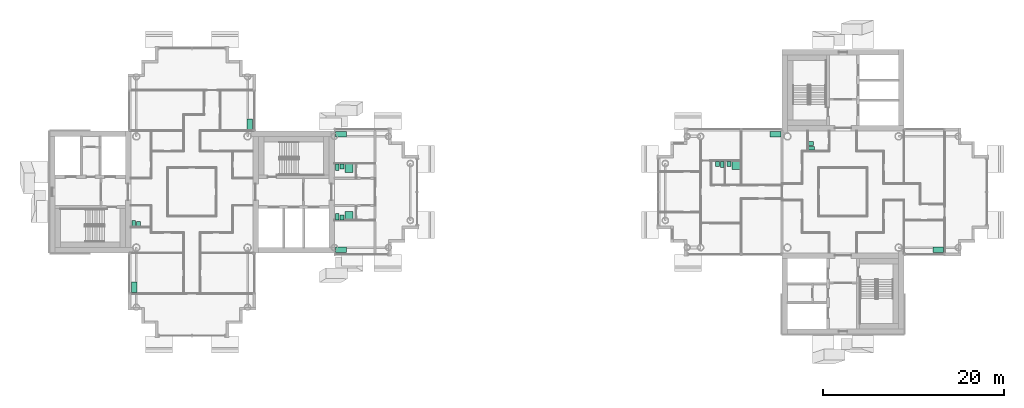
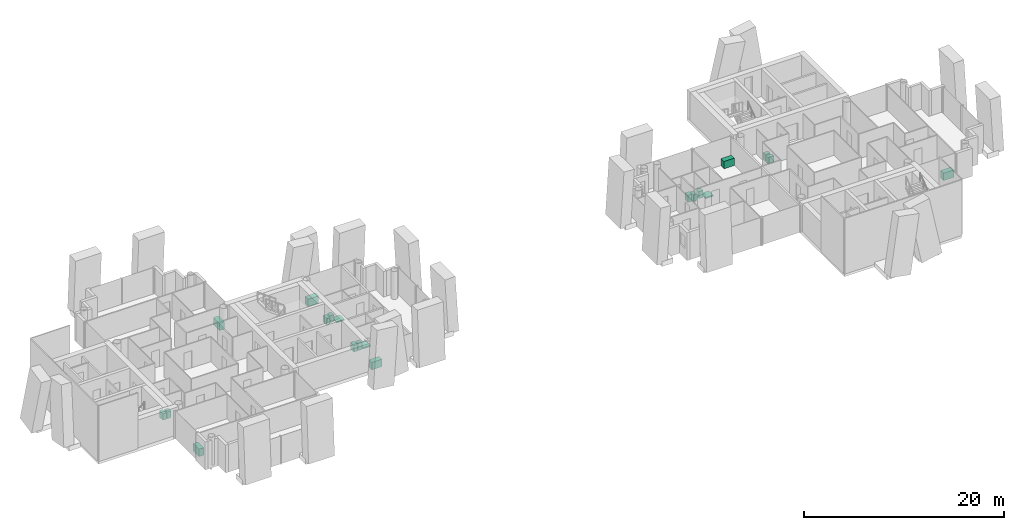
# One storey, part 18 of 18: 20 sanitary terminals.
"""IFC4 building model written with IfcOpenShell, lengths in metres."""

from ifc_helpers import new_model, si_unit, direction, frame, origin, origin_2d, place, context, subcontext, project, spatial, rectangle, extrude, material, type_object, element, save


model = new_model("IFC4")

# Units and contexts
model_context = context("Model", 3, precision=1e-05, world=origin(), true_north=direction((0.0, 1.0)))
body_context = subcontext(model_context, "Body", "Model", "MODEL_VIEW")
ifc_project = project(units=[si_unit("LENGTHUNIT", "METRE"), si_unit("AREAUNIT", "SQUARE_METRE"), si_unit("VOLUMEUNIT", "CUBIC_METRE"), si_unit("PLANEANGLEUNIT", "RADIAN"), si_unit("MASSUNIT", "GRAM", prefix="KILO")], contexts=[model_context])

# Site, building, storey
site_placement = place(None, origin())
site = spatial("IfcSite", under=ifc_project, at=site_placement, CompositionType="ELEMENT")
building_placement = place(site_placement, origin())
building = spatial("IfcBuilding", under=site, at=building_placement, Name="Ipe Terrace Towers", CompositionType="ELEMENT")
storey_placement = place(building_placement, frame((0.0, 0.0, 196.0)))
storey = spatial("IfcBuildingStorey", under=building, at=storey_placement, Name="L54", CompositionType="ELEMENT", Elevation=196.0)

# Sanitary terminals
ifc_material_1 = material(Name="Stainless sink unit", Category="metal")
sanitary_terminal_type_1 = type_object("IfcSanitaryTerminalType", Name="Kitchen sink unit", PredefinedType="SINK", material=ifc_material_1)
for number, where, z_axis, x_axis, name in (
    (1, (-29.6201171875, 7.469970703125, 0.0), (0.0, 0.0, 1.0), (0.0, -1.0, 0.0), "Kitchen sink unit"),
    (2, (-42.3798828125, -10.530029296875, 0.0), (0.0, 0.0, 1.0), (0.0, 1.0, 0.0), "Kitchen sink unit"),
    (3, (-19.530029296875, 6.3798828125, 0.0), (0.0, 0.0, 1.0), (1.0, 0.0, 0.0), "Kitchen sink unit"),
    (4, (-19.530029296875, -6.3798828125, 0.0), (0.0, 0.0, 1.0), (-1.0, 0.0, 0.0), "Kitchen sink unit"),
    (5, (28.530029296875, 6.3798828125, 0.0), (0.0, 0.0, 1.0), (1.0, 0.0, 0.0), "Kitchen sink unit"),
    (6, (46.530029296875, -6.3798828125, 0.0), (0.0, 0.0, 1.0), (-1.0, 0.0, 0.0), "Kitchen sink unit"),
):
    element("IfcSanitaryTerminal", number, at=place(storey_placement, frame(where, z_axis=z_axis, x_axis=x_axis)), inside=storey, type_object=sanitary_terminal_type_1, Name=name, PredefinedType="SINK", context=body_context, shape_type="SweptSolid", body=[
        extrude(rectangle(XDim=1.199951171875, YDim=0.60009765625, at=origin_2d()), origin(), (0.0, 0.0, 1.0), 0.89990234375),
    ])
ifc_material_2 = material(Name="Acrylic", Category="plastic")
sanitary_terminal_type_2 = type_object("IfcSanitaryTerminalType", Name="Shower tray", PredefinedType="SHOWER", material=ifc_material_2)
for number, where, z_axis, x_axis, name in (
    (7, (-18.6298828125, 2.6298828125, 0.0), (0.0, 0.0, 1.0), (0.0, -1.0, 0.0), "Shower tray"),
    (8, (-18.6298828125, -2.6298828125, 0.0), (0.0, 0.0, 1.0), (0.0, 1.0, 0.0), "Shower tray"),
    (9, (24.179931640625, 2.929931640625, 0.0), (0.0, 0.0, 1.0), (0.0, -1.0, 0.0), "Shower tray"),
):
    element("IfcSanitaryTerminal", number, at=place(storey_placement, frame(where, z_axis=z_axis, x_axis=x_axis)), inside=storey, type_object=sanitary_terminal_type_2, Name=name, PredefinedType="SHOWER", context=body_context, shape_type="SweptSolid", body=[
        extrude(rectangle(XDim=0.89990234375, YDim=0.89990234375, at=origin_2d()), origin(), (0.0, 0.0, 1.0), 0.14990234375),
    ])
ifc_material_3 = material(Name="Vitreous china", Category="ceramic")
sanitary_terminal_type_3 = type_object("IfcSanitaryTerminalType", Name="Wash basin", PredefinedType="WASHHANDBASIN", material=ifc_material_3)
for number, where, z_axis, x_axis, name in (
    (10, (-41.905029296875, -3.554931640625, 0.0), (0.0, 0.0, 1.0), (0.0, 1.0, 0.0), "Wash basin"),
    (11, (-19.405029296875, 2.804931640625, 0.0), (0.0, 0.0, 1.0), (0.0, -1.0, 0.0), "Wash basin"),
    (12, (-19.405029296875, -2.804931640625, 0.0), (0.0, 0.0, 1.0), (0.0, 1.0, 0.0), "Wash basin"),
    (13, (32.445068359375, 5.344970703125, 0.0), (0.0, 0.0, 1.0), (1.0, 0.0, 0.0), "Wash basin"),
    (14, (23.405029296875, 3.10498046875, 0.0), (0.0, 0.0, 1.0), (0.0, -1.0, 0.0), "Wash basin"),
    (15, (22.10498046875, 3.10498046875, 0.0), (0.0, 0.0, 1.0), (0.0, -1.0, 0.0), "Wash basin"),
):
    element("IfcSanitaryTerminal", number, at=place(storey_placement, frame(where, z_axis=z_axis, x_axis=x_axis)), inside=storey, type_object=sanitary_terminal_type_3, Name=name, PredefinedType="WASHHANDBASIN", context=body_context, shape_type="SweptSolid", body=[
        extrude(rectangle(XDim=0.550048828125, YDim=0.449951171875, at=origin_2d()), origin(), (0.0, 0.0, 1.0), 0.85009765625),
    ])
ifc_material_4 = material(Name="Vitreous china", Category="ceramic")
sanitary_terminal_type_4 = type_object("IfcSanitaryTerminalType", Name="Water closet", PredefinedType="TOILETPAN", material=ifc_material_4)
for number, where, z_axis, x_axis, name in (
    (16, (-42.429931640625, -3.47998046875, 0.0), (0.0, 0.0, 1.0), (0.0, 1.0, 0.0), "Water closet"),
    (17, (-19.929931640625, 2.72998046875, 0.0), (0.0, 0.0, 1.0), (0.0, -1.0, 0.0), "Water closet"),
    (18, (-19.929931640625, -2.72998046875, 0.0), (0.0, 0.0, 1.0), (0.0, 1.0, 0.0), "Water closet"),
    (19, (32.52001953125, 4.820068359375, 0.0), (0.0, 0.0, 1.0), (1.0, 0.0, 0.0), "Water closet"),
    (20, (22.6298828125, 3.030029296875, 0.0), (0.0, 0.0, 1.0), (0.0, -1.0, 0.0), "Water closet"),
):
    element("IfcSanitaryTerminal", number, at=place(storey_placement, frame(where, z_axis=z_axis, x_axis=x_axis)), inside=storey, type_object=sanitary_terminal_type_4, Name=name, PredefinedType="TOILETPAN", context=body_context, shape_type="SweptSolid", body=[
        extrude(rectangle(XDim=0.699951171875, YDim=0.39990234375, at=origin_2d()), origin(), (0.0, 0.0, 1.0), 0.780029296875),
    ])

save(model, "model.ifc")
